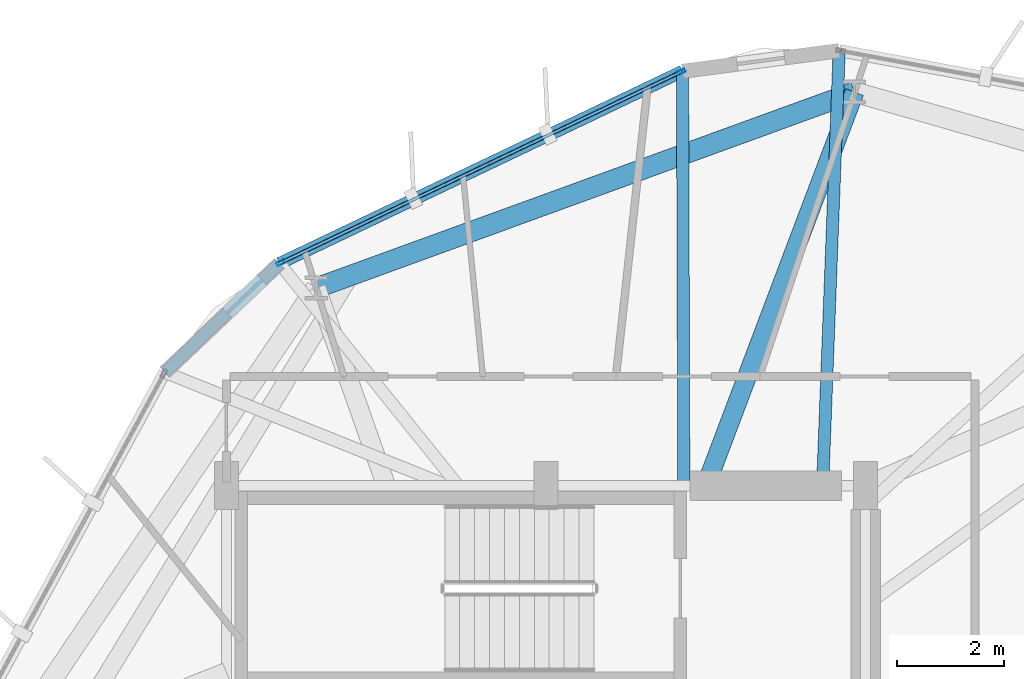
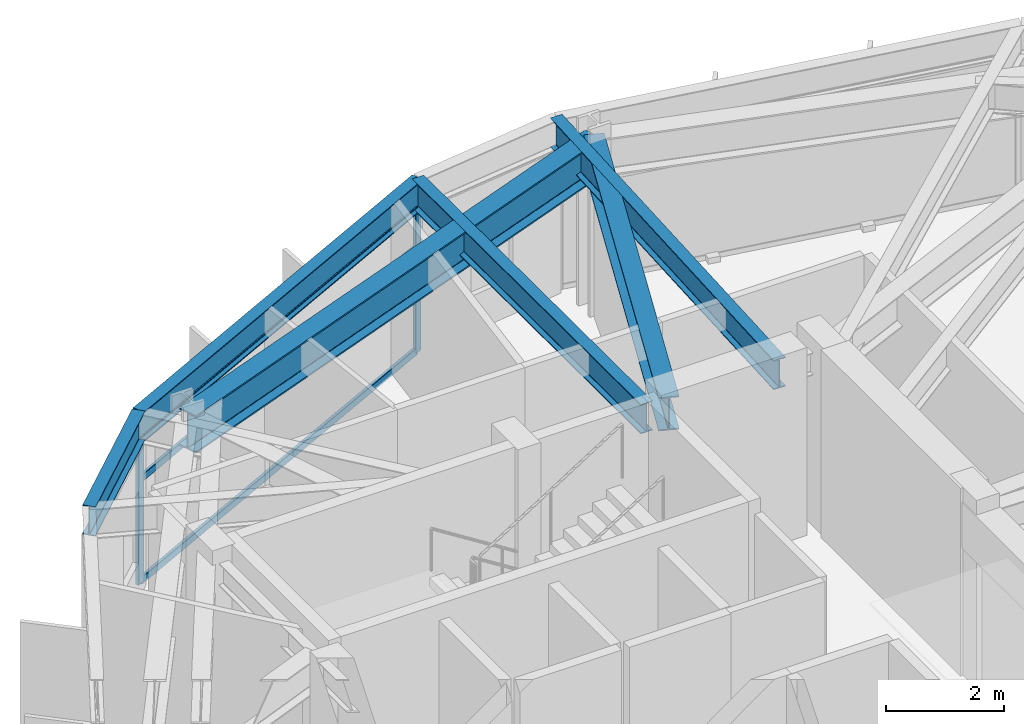
# One storey, part 15 of 25: 6 beams, 5 members, 1 element without a shape of its own.
"""IFC4 building model written with IfcOpenShell, lengths in metres."""

from ifc_helpers import new_model, si_unit, direction, frame, origin, origin_2d, place, context, subcontext, project, spatial, hollow_rectangle, i_section, extrude, material, layer, layer_set, material_profile, profile_set, type_object, element, aggregate, save


model = new_model("IFC4")

# Units and contexts
model_context = context("Model", 3, precision=1e-05, world=origin(), true_north=direction((0.0, 1.0)))
body_context = subcontext(model_context, "Body", "Model", "MODEL_VIEW")
ifc_project = project(units=[si_unit("LENGTHUNIT", "METRE"), si_unit("AREAUNIT", "SQUARE_METRE"), si_unit("VOLUMEUNIT", "CUBIC_METRE"), si_unit("PLANEANGLEUNIT", "RADIAN"), si_unit("MASSUNIT", "GRAM", prefix="KILO")], contexts=[model_context])

# Site, building, storey
site_placement = place(None, origin())
site = spatial("IfcSite", under=ifc_project, at=site_placement, CompositionType="ELEMENT")
building_placement = place(site_placement, origin())
building = spatial("IfcBuilding", under=site, at=building_placement, Name="Soratama Intermodal Tower", CompositionType="ELEMENT")
storey_placement = place(building_placement, frame((0.0, 0.0, 126.39990234375)))
storey = spatial("IfcBuildingStorey", under=building, at=storey_placement, Name="L30", CompositionType="ELEMENT", Elevation=126.39990234375)

# Beams
ifc_material_1 = material(Name="Structural steel ASTM A992 Grade 50", Category="steel")
ifc_material_profile_1 = material_profile(ifc_material_1, i_section(OverallWidth=0.35498046875, OverallDepth=0.695068359375, WebThickness=0.015380859375, FlangeThickness=0.02490234375, FilletRadius=0.01611328125, at=origin_2d()), Name="W27X146")
ifc_profile_set_1 = profile_set([ifc_material_profile_1], Name="Structural steel ASTM A992 Grade 50")
beam_type_1 = type_object("IfcBeamType", Name="BM-RING-W27X146", PredefinedType="BEAM", material=ifc_profile_set_1)
beam_1_placement = place(storey_placement, frame((41.60009765625, 35.0, 3.252685546875), z_axis=(0.353577871145, 0.935405093549, 0.0), x_axis=(-0.935405093549, 0.353577871145, 0.0)))
element("IfcBeam", 1, at=beam_1_placement, inside=storey, type_object=beam_type_1, Name="BM-L30-RAD-03", PredefinedType="BEAM", context=body_context, shape_type="SweptSolid", body=[
    extrude(i_section(OverallWidth=0.35498046875, OverallDepth=0.695068359375, WebThickness=0.015380859375, FlangeThickness=0.02490234375, FilletRadius=0.01611328125, at=origin_2d()), origin(), (0.0, 0.0, 1.0), 7.899169921875),
])
ifc_material_2 = material(Name="Structural steel ASTM A992 Grade 50", Category="steel")
ifc_material_profile_2 = material_profile(ifc_material_2, i_section(OverallWidth=0.382080078125, OverallDepth=0.779052734375, WebThickness=0.01806640625, FlangeThickness=0.030029296875, FilletRadius=0.01806640625, at=origin_2d()), Name="W30X191")
ifc_profile_set_2 = profile_set([ifc_material_profile_2], Name="Structural steel ASTM A992 Grade 50")
beam_type_2 = type_object("IfcBeamType", Name="BM-RING-W30X191", PredefinedType="BEAM", material=ifc_profile_set_2)
beam_2_placement = place(storey_placement, frame((44.39306640625, 42.388916015625, 3.210693359375), z_axis=(-0.939690636038, -0.342025596326, 0.0), x_axis=(0.342025596326, -0.939690636038, 0.0)))
element("IfcBeam", 2, at=beam_2_placement, inside=storey, type_object=beam_type_2, Name="BM-L30-RING-03", PredefinedType="BEAM", context=body_context, shape_type="SweptSolid", body=[
    extrude(i_section(OverallWidth=0.382080078125, OverallDepth=0.779052734375, WebThickness=0.01806640625, FlangeThickness=0.030029296875, FilletRadius=0.01806640625, at=origin_2d()), origin(), (0.0, 0.0, 1.0), 10.75341796875),
])
ifc_material_3 = material(Name="Structural steel ASTM A992 Grade 50", Category="steel")
ifc_material_profile_3 = material_profile(ifc_material_3, i_section(OverallWidth=0.22900390625, OverallDepth=0.612060546875, WebThickness=0.011962890625, FlangeThickness=0.01953125, FilletRadius=0.012939453125, at=origin_2d()), Name="W24X84")
ifc_profile_set_3 = profile_set([ifc_material_profile_3], Name="Structural steel ASTM A992 Grade 50")
beam_type_3 = type_object("IfcBeamType", Name="BM-SPN-W24X84", PredefinedType="SPANDREL", material=ifc_profile_set_3)
beam_3_placement = place(storey_placement, frame((41.1630859375, 42.781005859375, 3.294189453125), z_axis=(-0.902606292309, -0.430467049941, 0.0), x_axis=(0.430467049941, -0.902606292309, 0.0)))
element("IfcBeam", 3, at=beam_3_placement, inside=storey, type_object=beam_type_3, Name="BS-L30-F03", PredefinedType="SPANDREL", context=body_context, shape_type="SweptSolid", body=[
    extrude(i_section(OverallWidth=0.22900390625, OverallDepth=0.612060546875, WebThickness=0.011962890625, FlangeThickness=0.01953125, FilletRadius=0.012939453125, at=origin_2d()), origin(), (0.0, 0.0, 1.0), 8.383544921875),
])
beam_4_placement = place(storey_placement, frame((33.595947265625, 39.172119140625, 3.294189453125), z_axis=(-0.725340416539, -0.688390354476, 0.0), x_axis=(0.688390354476, -0.725340416539, 0.0)))
element("IfcBeam", 4, at=beam_4_placement, inside=storey, type_object=beam_type_3, Name="BS-L30-CRN03", PredefinedType="SPANDREL", context=body_context, shape_type="SweptSolid", body=[
    extrude(i_section(OverallWidth=0.22900390625, OverallDepth=0.612060546875, WebThickness=0.011962890625, FlangeThickness=0.01953125, FilletRadius=0.012939453125, at=origin_2d()), origin(), (0.0, 0.0, 1.0), 2.966796875),
])
ifc_material_4 = material(Name="Structural steel ASTM A992 Grade 50", Category="steel")
ifc_material_profile_4 = material_profile(ifc_material_4, i_section(OverallWidth=0.22900390625, OverallDepth=0.612060546875, WebThickness=0.011962890625, FlangeThickness=0.01953125, FilletRadius=0.012939453125, at=origin_2d()), Name="W24X84")
ifc_profile_set_4 = profile_set([ifc_material_profile_4], Name="Structural steel ASTM A992 Grade 50")
beam_type_4 = type_object("IfcBeamType", Name="BM-TIE-W24X84", PredefinedType="BEAM", material=ifc_profile_set_4)
beam_5_placement = place(storey_placement, frame((43.794921875, 35.0400390625, 3.294189453125), z_axis=(0.037999688597, 0.999277751011, 0.0), x_axis=(-0.999277751011, 0.037999688597, 0.0)))
element("IfcBeam", 5, at=beam_5_placement, inside=storey, type_object=beam_type_4, Name="BM-L30-TIE1-02", PredefinedType="BEAM", context=body_context, shape_type="SweptSolid", body=[
    extrude(i_section(OverallWidth=0.22900390625, OverallDepth=0.612060546875, WebThickness=0.011962890625, FlangeThickness=0.01953125, FilletRadius=0.012939453125, at=origin_2d()), origin(), (0.0, 0.0, 1.0), 8.1337890625),
])
beam_6_placement = place(storey_placement, frame((41.18701171875, 35.0400390625, 3.294189453125), z_axis=(-0.003090785376, 0.999995223511, 0.0), x_axis=(-0.999995223511, -0.003090785376, 0.0)))
element("IfcBeam", 6, at=beam_6_placement, inside=storey, type_object=beam_type_4, Name="BM-L30-TIE0-03", PredefinedType="BEAM", context=body_context, shape_type="SweptSolid", body=[
    extrude(i_section(OverallWidth=0.22900390625, OverallDepth=0.612060546875, WebThickness=0.011962890625, FlangeThickness=0.01953125, FilletRadius=0.012939453125, at=origin_2d()), origin(), (0.0, 0.0, 1.0), 7.740966796875),
])

# Curtain wall, members
ifc_material_5 = material(Name="Double-glazed aluminium curtain wall", Category="aluminium")
ifc_layer = layer(ifc_material_5, 0.159912109375)
ifc_layer_set = layer_set([ifc_layer], Name="Double-glazed aluminium curtain wall")
curtain_wall_type = type_object("IfcCurtainWallType", Name="CW-SYS-3", PredefinedType="NOTDEFINED", material=ifc_layer_set)
curtain_wall_placement = place(storey_placement, origin())
curtain_wall = element("IfcCurtainWall", 7, at=curtain_wall_placement, inside=storey, type_object=curtain_wall_type, Name="L30 Faceted Curtain Wall F03", PredefinedType="NOTDEFINED")
ifc_material_6 = material(Name="Anodised aluminium AA 6063-T6", Category="aluminium")
ifc_material_profile_5 = material_profile(ifc_material_6, hollow_rectangle(XDim=0.070068359375, YDim=0.159912109375, WallThickness=0.0048828125, InnerFilletRadius=0.0048828125, OuterFilletRadius=0.010009765625, at=origin_2d()), Name="CWM160X70X5")
ifc_profile_set_5 = profile_set([ifc_material_profile_5], Name="Anodised aluminium AA 6063-T6")
member_type_1 = type_object("IfcMemberType", Name="MT-CWM-3", PredefinedType="MULLION", material=ifc_profile_set_5)
member_1_placement = place(storey_placement, frame((41.135986328125, 42.76806640625, 0.0), z_axis=(0.0, 0.0, 1.0), x_axis=(0.430503472363, -0.902588920984, 0.0)))
member_1 = element("IfcMember", 8, at=member_1_placement, type_object=member_type_1, Name="CW-3 mullion 1", PredefinedType="MULLION", context=body_context, shape_type="SweptSolid", body=[
    extrude(hollow_rectangle(XDim=0.070068359375, YDim=0.159912109375, WallThickness=0.0048828125, InnerFilletRadius=0.0048828125, OuterFilletRadius=0.010009765625, at=origin_2d()), origin(), (0.0, 0.0, 1.0), 2.97900390625),
])
member_2_placement = place(storey_placement, frame((33.623291015625, 39.184814453125, 0.0), z_axis=(0.0, 0.0, 1.0), x_axis=(0.430503472363, -0.902588920984, 0.0)))
member_2 = element("IfcMember", 9, at=member_2_placement, type_object=member_type_1, Name="CW-3 mullion 2", PredefinedType="MULLION", context=body_context, shape_type="SweptSolid", body=[
    extrude(hollow_rectangle(XDim=0.070068359375, YDim=0.159912109375, WallThickness=0.0048828125, InnerFilletRadius=0.0048828125, OuterFilletRadius=0.010009765625, at=origin_2d()), origin(), (0.0, 0.0, 1.0), 2.97900390625),
])
ifc_material_7 = material(Name="Anodised aluminium AA 6063-T6", Category="aluminium")
ifc_material_profile_6 = material_profile(ifc_material_7, hollow_rectangle(XDim=0.06494140625, YDim=0.14990234375, WallThickness=0.0048828125, InnerFilletRadius=0.0048828125, OuterFilletRadius=0.010009765625, at=origin_2d()), Name="CWT150X65X5")
ifc_profile_set_6 = profile_set([ifc_material_profile_6], Name="Anodised aluminium AA 6063-T6")
member_type_2 = type_object("IfcMemberType", Name="TT-CWT-1", PredefinedType="USERDEFINED", material=ifc_profile_set_6)
member_3_placement = place(storey_placement, frame((41.10888671875, 42.75537109375, 0.030029296875), z_axis=(-0.902580721216, -0.430520663488, 0.0), x_axis=(0.430520663488, -0.902580721216, 0.0)))
member_3 = element("IfcMember", 10, at=member_3_placement, type_object=member_type_2, Name="CW-3 transom 1.1", ObjectType="TRANSOM", PredefinedType="USERDEFINED", context=body_context, shape_type="SweptSolid", body=[
    extrude(hollow_rectangle(XDim=0.06494140625, YDim=0.14990234375, WallThickness=0.0048828125, InnerFilletRadius=0.0048828125, OuterFilletRadius=0.010009765625, at=origin_2d()), origin(), (0.0, 0.0, 1.0), 8.263427734375),
])
member_4_placement = place(storey_placement, frame((41.10888671875, 42.75537109375, 2.150146484375), z_axis=(-0.902580721216, -0.430520663488, 0.0), x_axis=(0.430520663488, -0.902580721216, 0.0)))
member_4 = element("IfcMember", 11, at=member_4_placement, type_object=member_type_2, Name="CW-3 transom 1.2", ObjectType="TRANSOM", PredefinedType="USERDEFINED", context=body_context, shape_type="SweptSolid", body=[
    extrude(hollow_rectangle(XDim=0.06494140625, YDim=0.14990234375, WallThickness=0.0048828125, InnerFilletRadius=0.0048828125, OuterFilletRadius=0.010009765625, at=origin_2d()), origin(), (0.0, 0.0, 1.0), 8.263427734375),
])
member_5_placement = place(storey_placement, frame((41.10888671875, 42.75537109375, 2.94921875), z_axis=(-0.902580721216, -0.430520663488, 0.0), x_axis=(0.430520663488, -0.902580721216, 0.0)))
member_5 = element("IfcMember", 12, at=member_5_placement, type_object=member_type_2, Name="CW-3 transom 1.3", ObjectType="TRANSOM", PredefinedType="USERDEFINED", context=body_context, shape_type="SweptSolid", body=[
    extrude(hollow_rectangle(XDim=0.06494140625, YDim=0.14990234375, WallThickness=0.0048828125, InnerFilletRadius=0.0048828125, OuterFilletRadius=0.010009765625, at=origin_2d()), origin(), (0.0, 0.0, 1.0), 8.263427734375),
])
aggregate(curtain_wall, [member_1, member_2, member_3, member_4, member_5])

save(model, "model.ifc")
